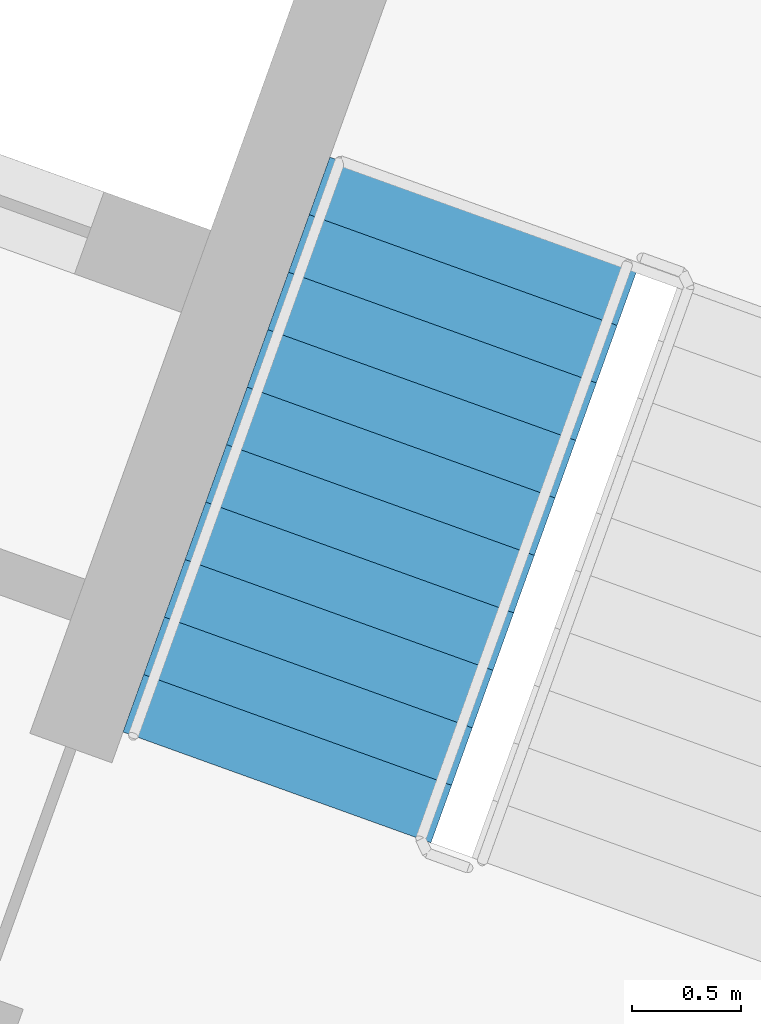
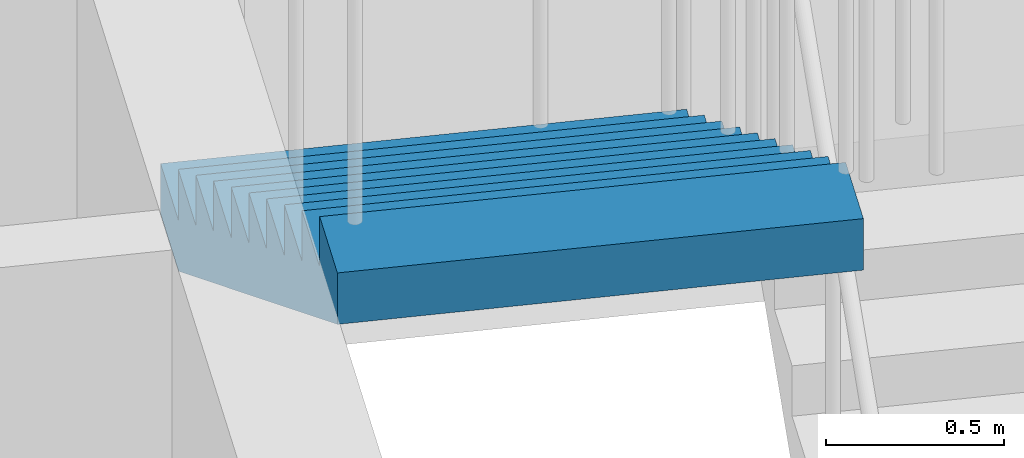
# One storey, part 19 of 20: 1 stair flight, 1 element without a shape of its own.
"""IFC4 building model written with IfcOpenShell, lengths in metres."""

import ifcopenshell
import ifcopenshell.guid

model = None  # the IFC model being written
_history = None  # IfcOwnerHistory: only IFC2X3 demands one
_inside = {}  # id of a spatial element -> (the spatial element, [elements in it])
_under = {}  # id of a project, library or spatial element -> (it, [spatial elements below it])
_declared = {}  # id of a project -> (the project, [libraries it declares])
_typed = {}  # id of a type object -> (the type object, [elements of that type])
_made_of = {}  # id of a material, layer set ... -> (it, [elements and type objects made of it])


def new_model(schema):
    """Start an empty IFC model of exactly this schema.

    Asked for "IFC4X3", IfcOpenShell would pick the latest addendum, in which some entities
    have other attributes; the version numbers below select the first issue.
    IFC2X3 requires an IfcOwnerHistory on every rooted entity: one is made here for all.
    """
    global model, _history
    if schema == "IFC4X3":
        model = ifcopenshell.file(schema_version=(4, 3, 0, 0))
    else:
        model = ifcopenshell.file(schema=schema)
    _inside.clear()
    _under.clear()
    _declared.clear()
    _typed.clear()
    _made_of.clear()
    _history = None
    if model.schema == "IFC2X3":
        org = make("IfcOrganization", Name="unknown")
        user = make(
            "IfcPersonAndOrganization",
            ThePerson=make("IfcPerson", FamilyName="unknown"),
            TheOrganization=org,
        )
        app = make(
            "IfcApplication",
            ApplicationDeveloper=org,
            Version="unknown",
            ApplicationFullName="unknown",
            ApplicationIdentifier="unknown",
        )
        _history = make(
            "IfcOwnerHistory",
            OwningUser=user,
            OwningApplication=app,
            ChangeAction="ADDED",
            CreationDate=0,
        )
    return model


def make(cls, **values):
    """One entity of the class cls with the attributes given. An attribute that is None is left unset."""
    return model.create_entity(
        cls, **{name: value for name, value in values.items() if value is not None}
    )


def rooted(cls, **values):
    """An entity with a GlobalId (a new one), such as an element, a storey or a relation."""
    return make(cls, GlobalId=ifcopenshell.guid.new(), OwnerHistory=_history, **values)


def si_unit(unit_type, name, prefix=None):
    """IfcSIUnit, for example si_unit("LENGTHUNIT", "METRE", prefix="MILLI")."""
    return make("IfcSIUnit", UnitType=unit_type, Prefix=prefix, Name=name)


def assignment(units):
    """IfcUnitAssignment: the units of a project."""
    return None if units is None else make("IfcUnitAssignment", Units=units)


def point(xyz):
    """IfcCartesianPoint."""
    return None if xyz is None else make("IfcCartesianPoint", Coordinates=xyz)


def direction(xyz):
    """IfcDirection."""
    return None if xyz is None else make("IfcDirection", DirectionRatios=xyz)


def frame(location, z_axis=None, x_axis=None):
    """IfcAxis2Placement3D, a coordinate frame: its origin and axes. An axis left out is left unset."""
    return make(
        "IfcAxis2Placement3D",
        Location=point(location),
        Axis=direction(z_axis),
        RefDirection=direction(x_axis),
    )


def origin():
    """The frame at (0, 0, 0) with its axes left unset."""
    return frame((0.0, 0.0, 0.0))


def place(relative_to, where):
    """IfcLocalPlacement: puts the frame where relative to a parent placement (None: the world)."""
    return make(
        "IfcLocalPlacement", PlacementRelTo=relative_to, RelativePlacement=where
    )


def context(
    kind, dimensions, precision=None, world=None, true_north=None, identifier=None
):
    """IfcGeometricRepresentationContext, for example the 3D "Model" context."""
    return make(
        "IfcGeometricRepresentationContext",
        ContextIdentifier=identifier,
        ContextType=kind,
        CoordinateSpaceDimension=dimensions,
        Precision=precision,
        WorldCoordinateSystem=world,
        TrueNorth=true_north,
    )


def subcontext(parent, identifier, kind, view, scale=None):
    """IfcGeometricRepresentationSubContext, for example "Body" below "Model"."""
    return make(
        "IfcGeometricRepresentationSubContext",
        ContextIdentifier=identifier,
        ContextType=kind,
        ParentContext=parent,
        TargetScale=scale,
        TargetView=view,
    )


def project(units=None, contexts=None):
    """IfcProject with its units and contexts."""
    return rooted(
        "IfcProject",
        Name="project",
        RepresentationContexts=contexts,
        UnitsInContext=assignment(units),
    )


def spatial(cls, under=None, at=None, **own):
    """A site, building, storey or space (cls), placed at a placement, below another one or the project."""
    s = rooted(cls, ObjectPlacement=at, **own)
    if under is not None:
        _under.setdefault(under.id(), (under, []))[1].append(s)
    return s


def polyline(points):
    """IfcPolyline through the points."""
    return make("IfcPolyline", Points=[point(p) for p in points])


def outline(outer, holes=None, kind="AREA"):
    """IfcArbitraryClosedProfileDef: a profile drawn as a closed curve; with holes, ...WithVoids."""
    if holes is None:
        return make("IfcArbitraryClosedProfileDef", ProfileType=kind, OuterCurve=outer)
    return make(
        "IfcArbitraryProfileDefWithVoids",
        ProfileType=kind,
        OuterCurve=outer,
        InnerCurves=holes,
    )


def extrude(swept, where, along, depth):
    """IfcExtrudedAreaSolid: the profile swept, set in the frame where, extruded along a direction by depth."""
    return make(
        "IfcExtrudedAreaSolid",
        SweptArea=swept,
        Position=where,
        ExtrudedDirection=direction(along),
        Depth=depth,
    )


def shape(context_of_items, identifier, shape_type, items):
    """IfcShapeRepresentation: the items that make up one representation, for example the "Body"."""
    return make(
        "IfcShapeRepresentation",
        ContextOfItems=context_of_items,
        RepresentationIdentifier=identifier,
        RepresentationType=shape_type,
        Items=items,
    )


def material(Name=None, Category=None):
    """IfcMaterial."""
    return make("IfcMaterial", Name=Name, Category=Category)


def made_of(thing, what):
    """Note that an element or type object is made of a material, layer set ...; save() writes the relation."""
    if what is not None:
        _made_of.setdefault(what.id(), (what, []))[1].append(thing)
    return thing


def type_object(cls, material=None, **own):
    """A type object (cls), such as IfcWallType, which elements share."""
    return made_of(rooted(cls, **own), material)


def element(
    cls,
    number,
    at=None,
    inside=None,
    cuts=None,
    type_object=None,
    material=None,
    context=None,
    identifier="Body",
    shape_type=None,
    held_by="IfcProductDefinitionShape",
    body=None,
    shapes=None,
    **own,
):
    """One element of the class cls, such as IfcWall. Its Tag is "e" and its number.

    at: its placement. inside: the storey or other place that contains it. cuts: it is an
    opening in that element (IfcRelVoidsElement). A single representation is given by context,
    identifier, shape_type and body (its items); several are given by shapes. held_by: the class
    of the entity that holds the representations. save() writes the other relations.
    """
    e = rooted(cls, Tag="e%d" % number, ObjectPlacement=at, **own)
    if body is not None:
        shapes = [shape(context, identifier, shape_type, body)]
    if shapes is not None:
        e.Representation = make(held_by, Representations=shapes)
    if inside is not None:
        _inside.setdefault(inside.id(), (inside, []))[1].append(e)
    if cuts is not None:
        rooted(
            "IfcRelVoidsElement", RelatingBuildingElement=cuts, RelatedOpeningElement=e
        )
    if type_object is not None:
        _typed.setdefault(type_object.id(), (type_object, []))[1].append(e)
    return made_of(e, material)


def aggregate(whole, parts):
    """IfcRelAggregates: a whole, such as a stair, and the parts it consists of."""
    return rooted("IfcRelAggregates", RelatingObject=whole, RelatedObjects=parts)


def save(model, path):
    """Write the relations noted so far, then the file.

    IfcRelAggregates (storeys below a building ...), IfcRelContainedInSpatialStructure (elements
    in a storey), IfcRelDefinesByType, IfcRelAssociatesMaterial and IfcRelDeclares: one each for
    every whole, place, type object, material and project.
    """
    for whole, parts in _under.values():
        aggregate(whole, parts)
    for where, things in _inside.values():
        rooted(
            "IfcRelContainedInSpatialStructure",
            RelatedElements=things,
            RelatingStructure=where,
        )
    for kind, things in _typed.values():
        rooted("IfcRelDefinesByType", RelatedObjects=things, RelatingType=kind)
    for what, things in _made_of.values():
        rooted("IfcRelAssociatesMaterial", RelatedObjects=things, RelatingMaterial=what)
    for by, libraries in _declared.values():
        rooted("IfcRelDeclares", RelatingContext=by, RelatedDefinitions=libraries)
    model.write(path)


model = new_model("IFC4")

# Units and contexts
model_context = context("Model", 3, precision=1e-05, world=origin(), true_north=direction((0.0, 1.0)))
body_context = subcontext(model_context, "Body", "Model", "MODEL_VIEW")
ifc_project = project(units=[si_unit("LENGTHUNIT", "METRE"), si_unit("AREAUNIT", "SQUARE_METRE"), si_unit("VOLUMEUNIT", "CUBIC_METRE"), si_unit("PLANEANGLEUNIT", "RADIAN"), si_unit("MASSUNIT", "GRAM", prefix="KILO")], contexts=[model_context])

# Site, building, storey
site_placement = place(None, origin())
site = spatial("IfcSite", under=ifc_project, at=site_placement, CompositionType="ELEMENT")
building_placement = place(site_placement, origin())
building = spatial("IfcBuilding", under=site, at=building_placement, Name="Stone Belt Terrace Tower", CompositionType="ELEMENT")
storey_placement = place(building_placement, frame((0.0, 0.0, 212.39990234375)))
storey = spatial("IfcBuildingStorey", under=building, at=storey_placement, Name="L51", CompositionType="ELEMENT", Elevation=212.39990234375)

# Stair, stair flight
ifc_material = material(Name="Concrete B40", Category="concrete")
stair_type = type_object("IfcStairType", Name="Exit stair 1500", PredefinedType="HALF_TURN_STAIR", material=ifc_material)
stair_placement = place(storey_placement, origin())
stair = element("IfcStair", 1, at=stair_placement, inside=storey, type_object=stair_type, Name="L51 Exit stair 1 core B", PredefinedType="HALF_TURN_STAIR")
stair_flight_type = type_object("IfcStairFlightType", Name="Stair flight 1500", PredefinedType="STRAIGHT", material=ifc_material)
stair_flight_placement = place(storey_placement, frame((24.50146484375, 48.147705078125, 1.900146484375), z_axis=(0.0, 0.0, 1.0), x_axis=(-0.338624396177, -0.940921632398, 0.0)))
stair_flight = element("IfcStairFlight", 2, at=stair_flight_placement, type_object=stair_flight_type, Name="ST1B flight 2", NumberOfRisers=11, NumberOfTreads=10, PredefinedType="STRAIGHT", RiserHeight=0.172727273, TreadLength=0.28, context=body_context, shape_type="SweptSolid", body=[
    extrude(outline(polyline([(0.0, 0.0), (0.0, 0.172607421875), (0.280029296875, 0.172607421875), (0.280029296875, 0.345458984375), (0.56005859375, 0.345458984375), (0.56005859375, 0.51806640625), (0.840087890625, 0.51806640625), (0.840087890625, 0.69091796875), (1.1201171875, 0.69091796875), (1.1201171875, 0.863525390625), (1.39990234375, 0.863525390625), (1.39990234375, 1.036376953125), (1.679931640625, 1.036376953125), (1.679931640625, 1.208984375), (1.9599609375, 1.208984375), (1.9599609375, 1.3818359375), (2.239990234375, 1.3818359375), (2.239990234375, 1.554443359375), (2.52001953125, 1.554443359375), (2.52001953125, 1.727294921875), (2.800048828125, 1.727294921875), (2.800048828125, 1.89990234375), (2.800048828125, 1.551025390625), (0.285400390625, 0.0), (0.0, 0.0)])), frame((0.0, 0.75, 0.0), z_axis=(0.0, -1.0, 0.0), x_axis=(1.0, 0.0, 0.0)), (0.0, 0.0, 1.0), 1.5),
])
aggregate(stair, [stair_flight])

save(model, "model.ifc")
